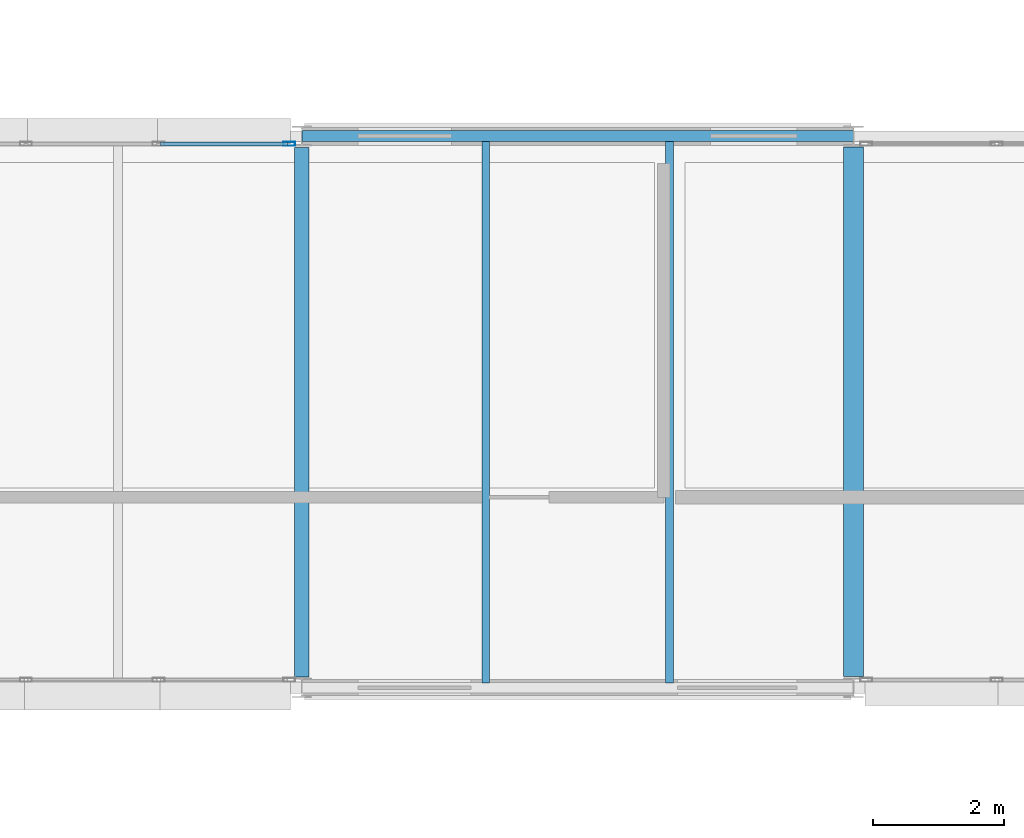
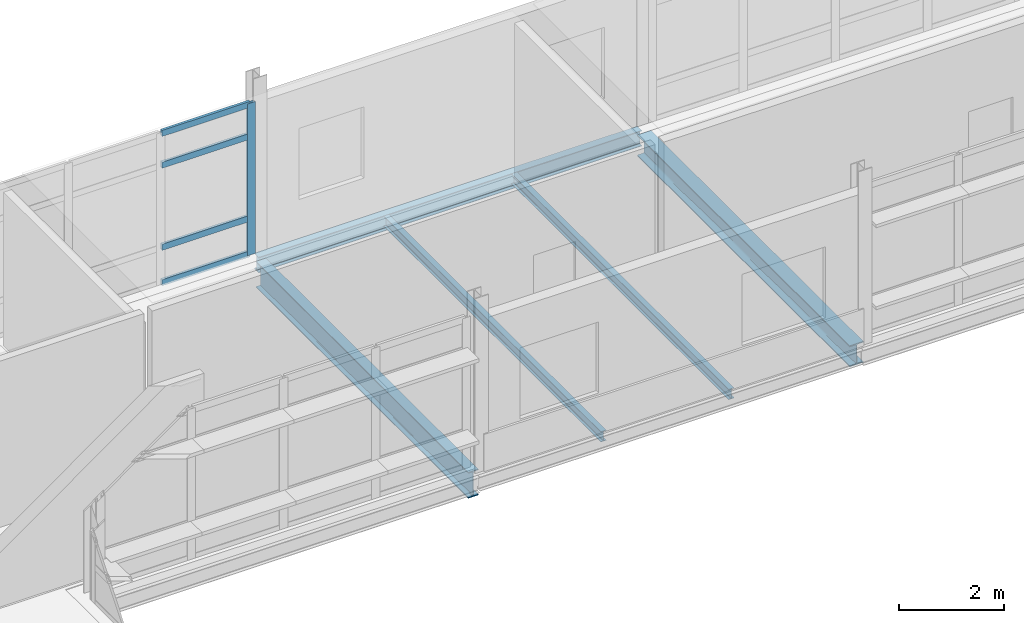
# One storey, part 20 of 57: 5 beams, 5 members, 1 element without a shape of its own.
"""IFC4 building model written with IfcOpenShell, lengths in metres."""

from ifc_helpers import new_model, si_unit, direction, frame, origin, origin_2d, place, context, subcontext, project, spatial, hollow_rectangle, i_section, extrude, material, material_profile, profile_set, type_object, element, aggregate, save


model = new_model("IFC4")

# Units and contexts
model_context = context("Model", 3, precision=1e-05, world=origin(), true_north=direction((0.0, 1.0)))
body_context = subcontext(model_context, "Body", "Model", "MODEL_VIEW")
ifc_project = project(units=[si_unit("LENGTHUNIT", "METRE"), si_unit("AREAUNIT", "SQUARE_METRE"), si_unit("VOLUMEUNIT", "CUBIC_METRE"), si_unit("PLANEANGLEUNIT", "RADIAN"), si_unit("MASSUNIT", "GRAM", prefix="KILO")], contexts=[model_context])

# Site, building, storey
site_placement = place(None, origin())
site = spatial("IfcSite", under=ifc_project, at=site_placement, CompositionType="ELEMENT")
building_placement = place(site_placement, origin())
building = spatial("IfcBuilding", under=site, at=building_placement, Name="Mersafa Astral City Hall", CompositionType="ELEMENT")
storey_placement = place(building_placement, frame((0.0, 0.0, 26.10009765625)))
storey = spatial("IfcBuildingStorey", under=building, at=storey_placement, Name="L06", CompositionType="ELEMENT", Elevation=26.10009765625)

# Curtain wall, members
ifc_material_1 = material(Name="Anodised bronze aluminium framing", Category="aluminium")
curtain_wall_type = type_object("IfcCurtainWallType", Name="ENV-CW-4", PredefinedType="USERDEFINED", material=ifc_material_1)
curtain_wall_placement = place(storey_placement, origin())
curtain_wall = element("IfcCurtainWall", 1, at=curtain_wall_placement, inside=storey, type_object=curtain_wall_type, Name="L06 Unitised solar curtain wall 261", ObjectType="UNITISED CURTAIN WALL", PredefinedType="USERDEFINED")
ifc_material_profile_1 = material_profile(ifc_material_1, hollow_rectangle(XDim=0.06005859375, YDim=0.179931640625, WallThickness=0.00390625, at=origin_2d()), Name="RHS 60x180x4")
ifc_profile_set_1 = profile_set([ifc_material_profile_1], Name="Anodised bronze aluminium framing")
member_type_1 = type_object("IfcMemberType", Name="ENV-CW-MUL-1", PredefinedType="MULLION", material=ifc_profile_set_1)
member_1_placement = place(storey_placement, frame((75.407958984375, 125.8798828125, -0.002197265625), z_axis=(0.0, 0.0, 1.0), x_axis=(0.0, -1.0, 0.0)))
member_1 = element("IfcMember", 2, at=member_1_placement, type_object=member_type_1, Name="CW-4 mullion 1", PredefinedType="MULLION", context=body_context, shape_type="SweptSolid", body=[
    extrude(hollow_rectangle(XDim=0.06005859375, YDim=0.179931640625, WallThickness=0.00390625, at=origin_2d()), origin(), (0.0, 0.0, 1.0), 3.51904296875),
])
ifc_material_profile_2 = material_profile(ifc_material_1, hollow_rectangle(XDim=0.06005859375, YDim=0.139892578125, WallThickness=0.00390625, at=origin_2d()), Name="RHS 60x140x4")
ifc_profile_set_2 = profile_set([ifc_material_profile_2], Name="Anodised bronze aluminium framing")
member_type_2 = type_object("IfcMemberType", Name="ENV-CW-TRN-1", PredefinedType="USERDEFINED", material=ifc_profile_set_2)
member_2_placement = place(storey_placement, frame((75.3779296875, 125.8798828125, 0.02783203125), z_axis=(-1.0, 0.0, 0.0), x_axis=(0.0, -1.0, 0.0)))
member_2 = element("IfcMember", 3, at=member_2_placement, type_object=member_type_2, Name="CW-4 transom 1.1", ObjectType="TRANSOM", PredefinedType="USERDEFINED", context=body_context, shape_type="SweptSolid", body=[
    extrude(hollow_rectangle(XDim=0.06005859375, YDim=0.139892578125, WallThickness=0.00390625, at=origin_2d()), origin(), (0.0, 0.0, 1.0), 1.928955078125),
])
member_3_placement = place(storey_placement, frame((75.3779296875, 125.8798828125, 0.849853515625), z_axis=(-1.0, 0.0, 0.0), x_axis=(0.0, -1.0, 0.0)))
member_3 = element("IfcMember", 4, at=member_3_placement, type_object=member_type_2, Name="CW-4 transom 1.2", ObjectType="TRANSOM", PredefinedType="USERDEFINED", context=body_context, shape_type="SweptSolid", body=[
    extrude(hollow_rectangle(XDim=0.06005859375, YDim=0.139892578125, WallThickness=0.00390625, at=origin_2d()), origin(), (0.0, 0.0, 1.0), 1.928955078125),
])
member_4_placement = place(storey_placement, frame((75.3779296875, 125.8798828125, 2.75), z_axis=(-1.0, 0.0, 0.0), x_axis=(0.0, -1.0, 0.0)))
member_4 = element("IfcMember", 5, at=member_4_placement, type_object=member_type_2, Name="CW-4 transom 1.3", ObjectType="TRANSOM", PredefinedType="USERDEFINED", context=body_context, shape_type="SweptSolid", body=[
    extrude(hollow_rectangle(XDim=0.06005859375, YDim=0.139892578125, WallThickness=0.00390625, at=origin_2d()), origin(), (0.0, 0.0, 1.0), 1.928955078125),
])
member_5_placement = place(storey_placement, frame((75.3779296875, 125.8798828125, 3.48681640625), z_axis=(-1.0, 0.0, 0.0), x_axis=(0.0, -1.0, 0.0)))
member_5 = element("IfcMember", 6, at=member_5_placement, type_object=member_type_2, Name="CW-4 transom 1.4", ObjectType="TRANSOM", PredefinedType="USERDEFINED", context=body_context, shape_type="SweptSolid", body=[
    extrude(hollow_rectangle(XDim=0.06005859375, YDim=0.139892578125, WallThickness=0.00390625, at=origin_2d()), origin(), (0.0, 0.0, 1.0), 1.928955078125),
])
aggregate(curtain_wall, [member_1, member_2, member_3, member_4, member_5])

# Beams
ifc_material_2 = material(Name="Steel S355", Category="steel")
ifc_material_profile_3 = material_profile(ifc_material_2, i_section(OverallWidth=0.300048828125, OverallDepth=0.489990234375, WebThickness=0.011962890625, FlangeThickness=0.02294921875, FilletRadius=0.027099609375, at=origin_2d()), Name="HEA 500")
ifc_profile_set_3 = profile_set([ifc_material_profile_3], Name="Steel S355")
beam_type_1 = type_object("IfcBeamType", Name="STR-BM-HEA500", PredefinedType="BEAM", material=ifc_profile_set_3)
beam_1_placement = place(storey_placement, frame((84.0, 117.77490234375, -0.420166015625), z_axis=(0.0, 1.0, 0.0), x_axis=(-1.0, 0.0, 0.0)))
element("IfcBeam", 7, at=beam_1_placement, inside=storey, type_object=beam_type_1, Name="L06 Primary girder Y 10-14", PredefinedType="BEAM", context=body_context, shape_type="SweptSolid", body=[
    extrude(i_section(OverallWidth=0.300048828125, OverallDepth=0.489990234375, WebThickness=0.011962890625, FlangeThickness=0.02294921875, FilletRadius=0.027099609375, at=origin_2d()), origin(), (0.0, 0.0, 1.0), 8.06005859375),
])
ifc_material_profile_4 = material_profile(ifc_material_2, i_section(OverallWidth=0.219970703125, OverallDepth=0.60009765625, WebThickness=0.011962890625, FlangeThickness=0.01904296875, FilletRadius=0.02392578125, at=origin_2d()), Name="IPE 600")
ifc_profile_set_4 = profile_set([ifc_material_profile_4], Name="Steel S355")
beam_type_2 = type_object("IfcBeamType", Name="STR-BM-IPE600", PredefinedType="BEAM", material=ifc_profile_set_4)
beam_2_placement = place(storey_placement, frame((75.60009765625, 117.764892578125, -0.47509765625), z_axis=(0.0, 1.0, 0.0), x_axis=(-1.0, 0.0, 0.0)))
element("IfcBeam", 8, at=beam_2_placement, inside=storey, type_object=beam_type_2, Name="L06 Primary girder Y 9-14", PredefinedType="BEAM", context=body_context, shape_type="SweptSolid", body=[
    extrude(i_section(OverallWidth=0.219970703125, OverallDepth=0.60009765625, WebThickness=0.011962890625, FlangeThickness=0.01904296875, FilletRadius=0.02392578125, at=origin_2d()), origin(), (0.0, 0.0, 1.0), 8.06005859375),
])
ifc_material_profile_5 = material_profile(ifc_material_2, i_section(OverallWidth=0.1201171875, OverallDepth=0.239990234375, WebThickness=0.006103515625, FlangeThickness=0.009765625, FilletRadius=0.014892578125, at=origin_2d()), Name="IPE 240")
ifc_profile_set_5 = profile_set([ifc_material_profile_5], Name="Steel S355")
beam_type_3 = type_object("IfcBeamType", Name="STR-BM-JOIST-IPE240", PredefinedType="JOIST", material=ifc_profile_set_5)
for number, where, z_axis, x_axis, name in (
    (9, (78.39990234375, 117.675048828125, -0.295166015625), (0.0, 1.0, 0.0), (-1.0, 0.0, 0.0), "L06 Composite secondary floor joist 850"),
    (10, (81.199951171875, 117.675048828125, -0.295166015625), (0.0, 1.0, 0.0), (-1.0, 0.0, 0.0), "L06 Composite secondary floor joist 851"),
):
    element("IfcBeam", number, at=place(storey_placement, frame(where, z_axis=z_axis, x_axis=x_axis)), inside=storey, type_object=beam_type_3, Name=name, PredefinedType="JOIST", context=body_context, shape_type="SweptSolid", body=[
        extrude(i_section(OverallWidth=0.1201171875, OverallDepth=0.239990234375, WebThickness=0.006103515625, FlangeThickness=0.009765625, FilletRadius=0.014892578125, at=origin_2d()), origin(), (0.0, 0.0, 1.0), 8.244873046875),
    ])
ifc_material_profile_6 = material_profile(ifc_material_2, i_section(OverallWidth=0.169921875, OverallDepth=0.360107421875, WebThickness=0.008056640625, FlangeThickness=0.0126953125, FilletRadius=0.01806640625, at=origin_2d()), Name="IPE 360")
ifc_profile_set_6 = profile_set([ifc_material_profile_6], Name="Steel S355")
beam_type_4 = type_object("IfcBeamType", Name="STR-BM-SPANDREL-IPE360", PredefinedType="SPANDREL", material=ifc_profile_set_6)
beam_3_placement = place(storey_placement, frame((75.60302734375, 126.0, -0.35498046875), z_axis=(1.0, 0.0, 0.0), x_axis=(0.0, 1.0, 0.0)))
element("IfcBeam", 11, at=beam_3_placement, inside=storey, type_object=beam_type_4, Name="L06 Primary girder X 9-15", PredefinedType="SPANDREL", context=body_context, shape_type="SweptSolid", body=[
    extrude(i_section(OverallWidth=0.169921875, OverallDepth=0.360107421875, WebThickness=0.008056640625, FlangeThickness=0.0126953125, FilletRadius=0.01806640625, at=origin_2d()), origin(), (0.0, 0.0, 1.0), 8.39404296875),
])

save(model, "model.ifc")
